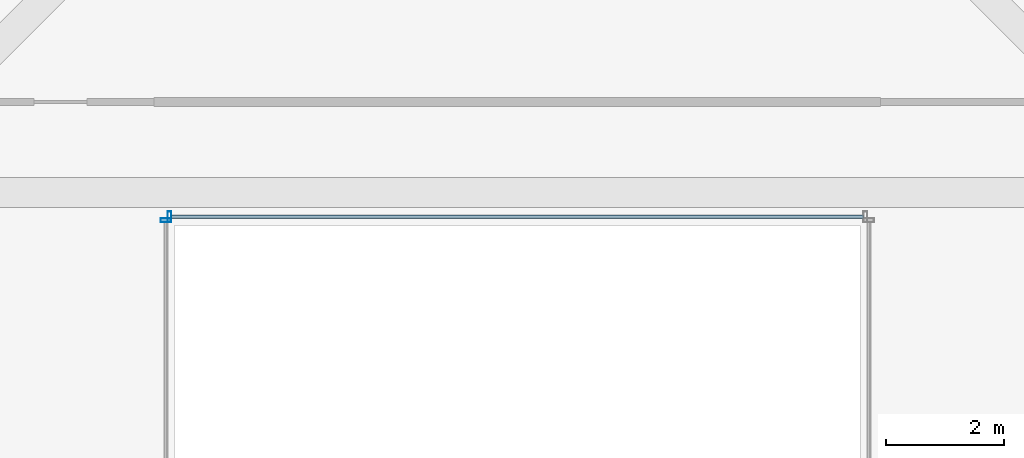
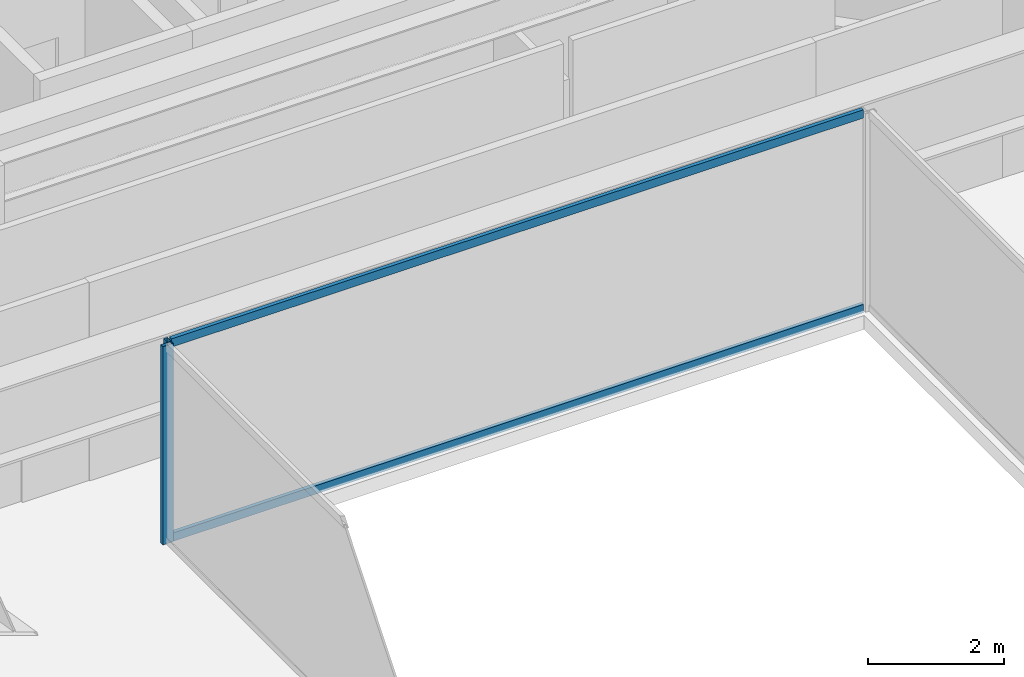
# One storey, part 11 of 37: 4 members, 2 elements without a shape of their own.
"""IFC4 building model written with IfcOpenShell, lengths in metres."""

from ifc_helpers import new_model, si_unit, direction, frame, origin, origin_2d, place, context, subcontext, project, spatial, hollow_rectangle, extrude, material, material_profile, profile_set, type_object, element, aggregate, save


model = new_model("IFC4")

# Units and contexts
model_context = context("Model", 3, precision=1e-05, world=origin(), true_north=direction((0.0, 1.0)))
body_context = subcontext(model_context, "Body", "Model", "MODEL_VIEW")
ifc_project = project(units=[si_unit("LENGTHUNIT", "METRE"), si_unit("AREAUNIT", "SQUARE_METRE"), si_unit("VOLUMEUNIT", "CUBIC_METRE"), si_unit("PLANEANGLEUNIT", "RADIAN"), si_unit("MASSUNIT", "GRAM", prefix="KILO")], contexts=[model_context])

# Site, building, storey
site_placement = place(None, origin())
site = spatial("IfcSite", under=ifc_project, at=site_placement, CompositionType="ELEMENT")
building_placement = place(site_placement, origin())
building = spatial("IfcBuilding", under=site, at=building_placement, Name="Saevonmaru Cultural Tower", CompositionType="ELEMENT")
storey_placement = place(building_placement, frame((0.0, 0.0, 163.800048828125)))
storey = spatial("IfcBuildingStorey", under=building, at=storey_placement, Name="L36", CompositionType="ELEMENT", Elevation=163.800048828125)

# Curtain wall, member
ifc_material = material(Name="Satin Bronze Anodised Aluminium", Category="aluminium")
curtain_wall_type = type_object("IfcCurtainWallType", Name="CW-ATR-GLZ", PredefinedType="NOTDEFINED", material=ifc_material)
curtain_wall_1_placement = place(storey_placement, origin())
curtain_wall_1 = element("IfcCurtainWall", 1, at=curtain_wall_1_placement, inside=storey, type_object=curtain_wall_type, Name="L36 Vertical Atrium Glazed Smoke Screen 3", PredefinedType="NOTDEFINED")
ifc_material_profile_1 = material_profile(ifc_material, hollow_rectangle(XDim=0.06494140625, YDim=0.179931640625, WallThickness=0.00390625, at=origin_2d()), Name="ALU-MULL-180x65x4")
ifc_profile_set_1 = profile_set([ifc_material_profile_1], Name="Satin Bronze Anodised Aluminium")
member_type_1 = type_object("IfcMemberType", Name="ML-CW-INT-180x65", PredefinedType="MULLION", material=ifc_profile_set_1)
member_1_placement = place(storey_placement, frame((24.110107421875, 37.110107421875, 0.0), z_axis=(0.0, 0.0, 1.0), x_axis=(-1.0, 0.0, 0.0)))
member_1 = element("IfcMember", 2, at=member_1_placement, type_object=member_type_1, Name="CW-ATR-L36-3 mullion 2", PredefinedType="MULLION", context=body_context, shape_type="SweptSolid", body=[
    extrude(hollow_rectangle(XDim=0.06494140625, YDim=0.179931640625, WallThickness=0.00390625, at=origin_2d()), origin(), (0.0, 0.0, 1.0), 3.550048828125),
])

curtain_wall_2_placement = place(storey_placement, origin())
curtain_wall_2 = element("IfcCurtainWall", 3, at=curtain_wall_2_placement, inside=storey, type_object=curtain_wall_type, Name="L36 Vertical Atrium Glazed Smoke Screen 4", PredefinedType="NOTDEFINED")
member_2_placement = place(storey_placement, frame((24.050048828125, 37.050048828125, 0.0), z_axis=(0.0, 0.0, 1.0), x_axis=(0.0, -1.0, 0.0)))
member_2 = element("IfcMember", 4, at=member_2_placement, type_object=member_type_1, Name="CW-ATR-L36-4 mullion 1", PredefinedType="MULLION", context=body_context, shape_type="SweptSolid", body=[
    extrude(hollow_rectangle(XDim=0.06494140625, YDim=0.179931640625, WallThickness=0.00390625, at=origin_2d()), origin(), (0.0, 0.0, 1.0), 3.550048828125),
])
aggregate(curtain_wall_2, [member_2])

# Member
ifc_material_profile_2 = material_profile(ifc_material, hollow_rectangle(XDim=0.06494140625, YDim=0.14990234375, WallThickness=0.00390625, at=origin_2d()), Name="ALU-TRAN-150x65x4")
ifc_profile_set_2 = profile_set([ifc_material_profile_2], Name="Satin Bronze Anodised Aluminium")
member_type_2 = type_object("IfcMemberType", Name="TR-CW-INT-150x65", PredefinedType="USERDEFINED", material=ifc_profile_set_2)
member_3_placement = place(storey_placement, frame((35.857421875, 37.110107421875, 0.032470703125), z_axis=(-1.0, 0.0, 0.0), x_axis=(0.0, -1.0, 0.0)))
member_3 = element("IfcMember", 5, at=member_3_placement, type_object=member_type_2, Name="CW-ATR-L36-3 transom 1.1", ObjectType="TRANSOM", PredefinedType="USERDEFINED", context=body_context, shape_type="SweptSolid", body=[
    extrude(hollow_rectangle(XDim=0.06494140625, YDim=0.14990234375, WallThickness=0.00390625, at=origin_2d()), origin(), (0.0, 0.0, 1.0), 11.71484375),
])

member_4_placement = place(storey_placement, frame((35.857421875, 37.110107421875, 3.517333984375), z_axis=(-1.0, 0.0, 0.0), x_axis=(0.0, -1.0, 0.0)))
member_4 = element("IfcMember", 6, at=member_4_placement, type_object=member_type_2, Name="CW-ATR-L36-3 transom 1.2", ObjectType="TRANSOM", PredefinedType="USERDEFINED", context=body_context, shape_type="SweptSolid", body=[
    extrude(hollow_rectangle(XDim=0.06494140625, YDim=0.14990234375, WallThickness=0.00390625, at=origin_2d()), origin(), (0.0, 0.0, 1.0), 11.71484375),
])

aggregate(curtain_wall_1, [member_1, member_3, member_4])

save(model, "model.ifc")
